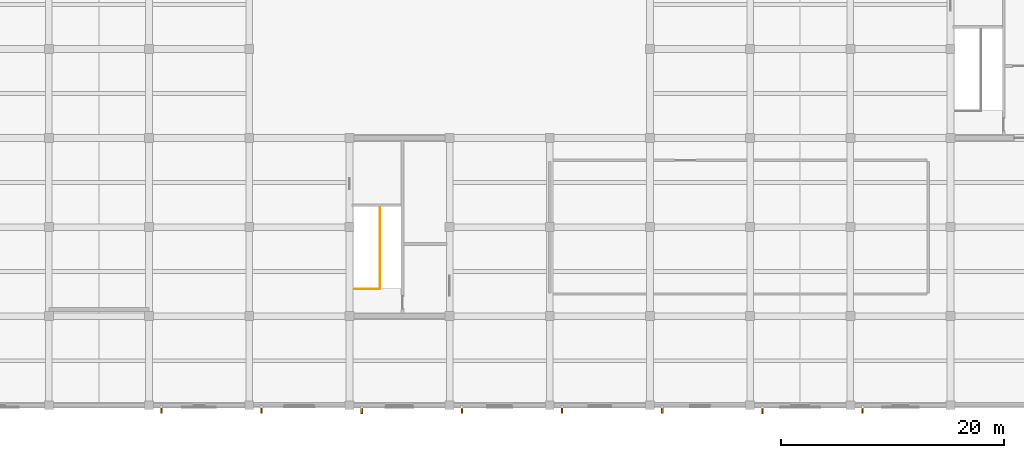
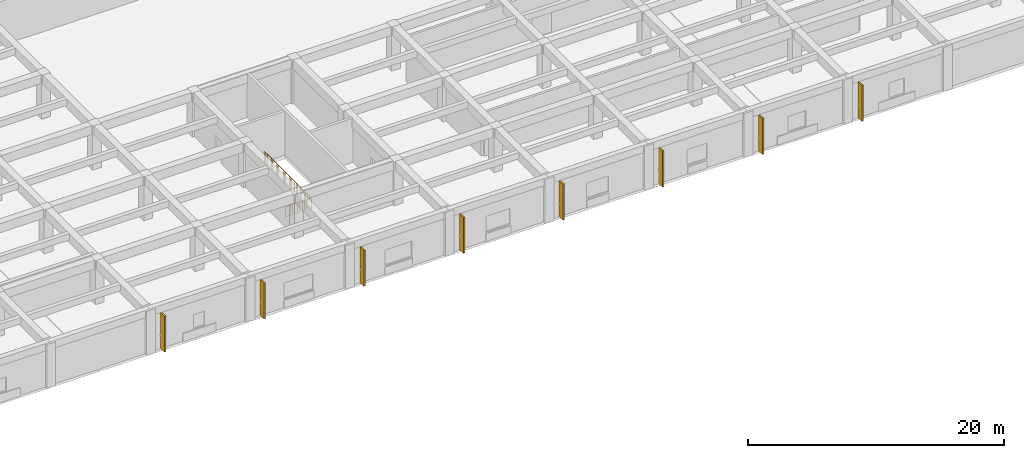
# One storey, part 28 of 32: 8 shading devices, 1 railing.
"""IFC4 building model written with IfcOpenShell, lengths in metres."""

from ifc_helpers import new_model, si_unit, direction, frame, frame_2d, origin, origin_2d, place, context, subcontext, project, spatial, rectangle, circle, extrude, material, layer, layer_set, type_object, element, save


model = new_model("IFC4")

# Units and contexts
model_context = context("Model", 3, precision=1e-05, world=origin(), true_north=direction((0.0, 1.0)))
body_context = subcontext(model_context, "Body", "Model", "MODEL_VIEW")
ifc_project = project(units=[si_unit("LENGTHUNIT", "METRE"), si_unit("AREAUNIT", "SQUARE_METRE"), si_unit("VOLUMEUNIT", "CUBIC_METRE"), si_unit("PLANEANGLEUNIT", "RADIAN"), si_unit("MASSUNIT", "GRAM", prefix="KILO")], contexts=[model_context])

# Site, building, storey
site_placement = place(None, origin())
site = spatial("IfcSite", under=ifc_project, at=site_placement, CompositionType="ELEMENT")
building_placement = place(site_placement, origin())
building = spatial("IfcBuilding", under=site, at=building_placement, Name="Zaverband Oceanarium and Marine Research Institute", CompositionType="ELEMENT")
storey_placement = place(building_placement, frame((0.0, 0.0, 13.5)))
storey = spatial("IfcBuildingStorey", under=building, at=storey_placement, Name="L03", CompositionType="ELEMENT", Elevation=13.5)

# Railing
ifc_material_1 = material(Name="Steel S355", Category="steel")
ifc_layer_1 = layer(ifc_material_1, 0.06005859375, Name="Steel S355")
ifc_layer_set_1 = layer_set([ifc_layer_1], Name="Steel S355")
railing_type = type_object("IfcRailingType", Name="GRD-1100", PredefinedType="BALUSTRADE", material=ifc_layer_set_1)
railing_placement = place(storey_placement, frame((81.429931640625, 10.429931640625, 0.0)))
element("IfcRailing", 1, at=railing_placement, inside=storey, type_object=railing_type, Name="1100 mm steel post-and-baluster safety guard GRD-1100", PredefinedType="BALUSTRADE", context=body_context, shape_type="SweptSolid", body=[
    extrude(circle(Radius=0.02392578125, at=origin_2d()), frame((0.0, 0.0, 1.076171875), z_axis=(1.0, 0.0, 0.0), x_axis=(0.0, 1.0, 0.0)), (0.0, 0.0, 1.0), 2.320068359375),
    extrude(circle(Radius=0.009033203125, at=origin_2d()), frame((0.0, 0.0, 0.10009765625), z_axis=(1.0, 0.0, 0.0), x_axis=(0.0, 1.0, 0.0)), (0.0, 0.0, 1.0), 2.320068359375),
    extrude(circle(Radius=0.009033203125, at=origin_2d()), frame((0.2109375, 0.0, 0.10009765625)), (0.0, 0.0, 1.0), 0.951904296875),
    extrude(circle(Radius=0.009033203125, at=origin_2d()), frame((0.421875, 0.0, 0.10009765625)), (0.0, 0.0, 1.0), 0.951904296875),
    extrude(circle(Radius=0.009033203125, at=origin_2d()), frame((0.6328125, 0.0, 0.10009765625)), (0.0, 0.0, 1.0), 0.951904296875),
    extrude(circle(Radius=0.009033203125, at=origin_2d()), frame((0.84375, 0.0, 0.10009765625)), (0.0, 0.0, 1.0), 0.951904296875),
    extrude(circle(Radius=0.009033203125, at=origin_2d()), frame((1.0546875, 0.0, 0.10009765625)), (0.0, 0.0, 1.0), 0.951904296875),
    extrude(circle(Radius=0.009033203125, at=origin_2d()), frame((1.265380859375, 0.0, 0.10009765625)), (0.0, 0.0, 1.0), 0.951904296875),
    extrude(circle(Radius=0.009033203125, at=origin_2d()), frame((1.476318359375, 0.0, 0.10009765625)), (0.0, 0.0, 1.0), 0.951904296875),
    extrude(circle(Radius=0.009033203125, at=origin_2d()), frame((1.687255859375, 0.0, 0.10009765625)), (0.0, 0.0, 1.0), 0.951904296875),
    extrude(circle(Radius=0.009033203125, at=origin_2d()), frame((1.898193359375, 0.0, 0.10009765625)), (0.0, 0.0, 1.0), 0.951904296875),
    extrude(circle(Radius=0.009033203125, at=origin_2d()), frame((2.109130859375, 0.0, 0.10009765625)), (0.0, 0.0, 1.0), 0.951904296875),
    extrude(circle(Radius=0.02392578125, at=origin_2d()), frame((2.320068359375, 0.0, 1.076171875), z_axis=(0.0, 1.0, 0.0), x_axis=(-1.0, 0.0, 0.0)), (0.0, 0.0, 1.0), 7.340087890625),
    extrude(circle(Radius=0.009033203125, at=origin_2d()), frame((2.320068359375, 0.0, 0.10009765625), z_axis=(0.0, 1.0, 0.0), x_axis=(-1.0, 0.0, 0.0)), (0.0, 0.0, 1.0), 7.340087890625),
    extrude(circle(Radius=0.009033203125, at=origin_2d()), frame((2.320068359375, 0.2158203125, 0.10009765625)), (0.0, 0.0, 1.0), 0.951904296875),
    extrude(circle(Radius=0.009033203125, at=origin_2d()), frame((2.320068359375, 0.431884765625, 0.10009765625)), (0.0, 0.0, 1.0), 0.951904296875),
    extrude(circle(Radius=0.009033203125, at=origin_2d()), frame((2.320068359375, 0.647705078125, 0.10009765625)), (0.0, 0.0, 1.0), 0.951904296875),
    extrude(circle(Radius=0.009033203125, at=origin_2d()), frame((2.320068359375, 0.863525390625, 0.10009765625)), (0.0, 0.0, 1.0), 0.951904296875),
    extrude(circle(Radius=0.009033203125, at=origin_2d()), frame((2.320068359375, 1.079345703125, 0.10009765625)), (0.0, 0.0, 1.0), 0.951904296875),
    extrude(circle(Radius=0.009033203125, at=origin_2d()), frame((2.320068359375, 1.29541015625, 0.10009765625)), (0.0, 0.0, 1.0), 0.951904296875),
    extrude(circle(Radius=0.009033203125, at=origin_2d()), frame((2.320068359375, 1.51123046875, 0.10009765625)), (0.0, 0.0, 1.0), 0.951904296875),
    extrude(circle(Radius=0.009033203125, at=origin_2d()), frame((2.320068359375, 1.72705078125, 0.10009765625)), (0.0, 0.0, 1.0), 0.951904296875),
    extrude(circle(Radius=0.009033203125, at=origin_2d()), frame((2.320068359375, 1.94287109375, 0.10009765625)), (0.0, 0.0, 1.0), 0.951904296875),
    extrude(circle(Radius=0.009033203125, at=origin_2d()), frame((2.320068359375, 2.158935546875, 0.10009765625)), (0.0, 0.0, 1.0), 0.951904296875),
    extrude(circle(Radius=0.009033203125, at=origin_2d()), frame((2.320068359375, 2.374755859375, 0.10009765625)), (0.0, 0.0, 1.0), 0.951904296875),
    extrude(circle(Radius=0.009033203125, at=origin_2d()), frame((2.320068359375, 2.590576171875, 0.10009765625)), (0.0, 0.0, 1.0), 0.951904296875),
    extrude(circle(Radius=0.009033203125, at=origin_2d()), frame((2.320068359375, 2.806396484375, 0.10009765625)), (0.0, 0.0, 1.0), 0.951904296875),
    extrude(circle(Radius=0.009033203125, at=origin_2d()), frame((2.320068359375, 3.0224609375, 0.10009765625)), (0.0, 0.0, 1.0), 0.951904296875),
    extrude(circle(Radius=0.009033203125, at=origin_2d()), frame((2.320068359375, 3.23828125, 0.10009765625)), (0.0, 0.0, 1.0), 0.951904296875),
    extrude(circle(Radius=0.009033203125, at=origin_2d()), frame((2.320068359375, 3.4541015625, 0.10009765625)), (0.0, 0.0, 1.0), 0.951904296875),
    extrude(circle(Radius=0.009033203125, at=origin_2d()), frame((2.320068359375, 3.669921875, 0.10009765625)), (0.0, 0.0, 1.0), 0.951904296875),
    extrude(circle(Radius=0.009033203125, at=origin_2d()), frame((2.320068359375, 3.885986328125, 0.10009765625)), (0.0, 0.0, 1.0), 0.951904296875),
    extrude(circle(Radius=0.009033203125, at=origin_2d()), frame((2.320068359375, 4.101806640625, 0.10009765625)), (0.0, 0.0, 1.0), 0.951904296875),
    extrude(circle(Radius=0.009033203125, at=origin_2d()), frame((2.320068359375, 4.317626953125, 0.10009765625)), (0.0, 0.0, 1.0), 0.951904296875),
    extrude(circle(Radius=0.009033203125, at=origin_2d()), frame((2.320068359375, 4.53369140625, 0.10009765625)), (0.0, 0.0, 1.0), 0.951904296875),
    extrude(circle(Radius=0.009033203125, at=origin_2d()), frame((2.320068359375, 4.74951171875, 0.10009765625)), (0.0, 0.0, 1.0), 0.951904296875),
    extrude(circle(Radius=0.009033203125, at=origin_2d()), frame((2.320068359375, 4.96533203125, 0.10009765625)), (0.0, 0.0, 1.0), 0.951904296875),
    extrude(circle(Radius=0.009033203125, at=origin_2d()), frame((2.320068359375, 5.18115234375, 0.10009765625)), (0.0, 0.0, 1.0), 0.951904296875),
    extrude(circle(Radius=0.009033203125, at=origin_2d()), frame((2.320068359375, 5.397216796875, 0.10009765625)), (0.0, 0.0, 1.0), 0.951904296875),
    extrude(circle(Radius=0.009033203125, at=origin_2d()), frame((2.320068359375, 5.613037109375, 0.10009765625)), (0.0, 0.0, 1.0), 0.951904296875),
    extrude(circle(Radius=0.009033203125, at=origin_2d()), frame((2.320068359375, 5.828857421875, 0.10009765625)), (0.0, 0.0, 1.0), 0.951904296875),
    extrude(circle(Radius=0.009033203125, at=origin_2d()), frame((2.320068359375, 6.044677734375, 0.10009765625)), (0.0, 0.0, 1.0), 0.951904296875),
    extrude(circle(Radius=0.009033203125, at=origin_2d()), frame((2.320068359375, 6.2607421875, 0.10009765625)), (0.0, 0.0, 1.0), 0.951904296875),
    extrude(circle(Radius=0.009033203125, at=origin_2d()), frame((2.320068359375, 6.4765625, 0.10009765625)), (0.0, 0.0, 1.0), 0.951904296875),
    extrude(circle(Radius=0.009033203125, at=origin_2d()), frame((2.320068359375, 6.6923828125, 0.10009765625)), (0.0, 0.0, 1.0), 0.951904296875),
    extrude(circle(Radius=0.009033203125, at=origin_2d()), frame((2.320068359375, 6.908203125, 0.10009765625)), (0.0, 0.0, 1.0), 0.951904296875),
    extrude(circle(Radius=0.009033203125, at=origin_2d()), frame((2.320068359375, 7.124267578125, 0.10009765625)), (0.0, 0.0, 1.0), 0.951904296875),
    extrude(circle(Radius=0.02099609375, at=origin_2d()), origin(), (0.0, 0.0, 1.0), 1.052001953125),
    extrude(circle(Radius=0.02099609375, at=origin_2d()), frame((0.7734375, 0.0, 0.0)), (0.0, 0.0, 1.0), 1.052001953125),
    extrude(circle(Radius=0.02099609375, at=origin_2d()), frame((1.546630859375, 0.0, 0.0)), (0.0, 0.0, 1.0), 1.052001953125),
    extrude(circle(Radius=0.02099609375, at=origin_2d()), frame((2.320068359375, 0.0, 0.0)), (0.0, 0.0, 1.0), 1.052001953125),
    extrude(circle(Radius=0.02099609375, at=origin_2d()), frame((2.320068359375, 1.048583984375, 0.0)), (0.0, 0.0, 1.0), 1.052001953125),
    extrude(circle(Radius=0.02099609375, at=origin_2d()), frame((2.320068359375, 2.09716796875, 0.0)), (0.0, 0.0, 1.0), 1.052001953125),
    extrude(circle(Radius=0.02099609375, at=origin_2d()), frame((2.320068359375, 3.145751953125, 0.0)), (0.0, 0.0, 1.0), 1.052001953125),
    extrude(circle(Radius=0.02099609375, at=origin_2d()), frame((2.320068359375, 4.1943359375, 0.0)), (0.0, 0.0, 1.0), 1.052001953125),
    extrude(circle(Radius=0.02099609375, at=origin_2d()), frame((2.320068359375, 5.242919921875, 0.0)), (0.0, 0.0, 1.0), 1.052001953125),
    extrude(circle(Radius=0.02099609375, at=origin_2d()), frame((2.320068359375, 6.29150390625, 0.0)), (0.0, 0.0, 1.0), 1.052001953125),
    extrude(circle(Radius=0.02099609375, at=origin_2d()), frame((2.320068359375, 7.340087890625, 0.0)), (0.0, 0.0, 1.0), 1.052001953125),
])

# Shading devices
ifc_material_2 = material(Name="Concrete C40/50 precast brise-soleil", Category="concrete")
ifc_layer_2 = layer(ifc_material_2, 0.139892578125, Name="Concrete C40/50 precast brise-soleil")
ifc_layer_set_2 = layer_set([ifc_layer_2], Name="Concrete C40/50 precast brise-soleil")
shading_device_type = type_object("IfcShadingDeviceType", Name="SHD-FIN-600", PredefinedType="JALOUSIE", material=ifc_layer_set_2)
shading_device_1_placement = place(storey_placement, frame((64.10498046875, -0.125, 0.0), z_axis=(0.0, 0.0, 1.0), x_axis=(0.0, -1.0, 0.0)))
element("IfcShadingDevice", 2, at=shading_device_1_placement, inside=storey, type_object=shading_device_type, Name="600 mm vertical precast brise-soleil fin SHD-FIN-600", PredefinedType="JALOUSIE", context=body_context, shape_type="SweptSolid", body=[
    extrude(rectangle(XDim=0.60009765625, YDim=0.139892578125, at=frame_2d((0.300048828125, 0.0))), origin(), (0.0, 0.0, 1.0), 3.429931640625),
])
shading_device_2_placement = place(storey_placement, frame((73.10498046875, -0.112548828125, 0.0), z_axis=(0.0, 0.0, 1.0), x_axis=(0.0, -1.0, 0.0)))
element("IfcShadingDevice", 3, at=shading_device_2_placement, inside=storey, type_object=shading_device_type, Name="600 mm vertical precast brise-soleil fin SHD-FIN-600", PredefinedType="JALOUSIE", context=body_context, shape_type="SweptSolid", body=[
    extrude(rectangle(XDim=0.599853515625, YDim=0.139892578125, at=frame_2d((0.2998046875, 0.0))), origin(), (0.0, 0.0, 1.0), 3.429931640625),
])
for number, where, z_axis, x_axis, name in (
    (4, (82.10498046875, -0.14990234375, 0.0), (0.0, 0.0, 1.0), (0.0, -1.0, 0.0), "600 mm vertical precast brise-soleil fin SHD-FIN-600"),
    (5, (91.10498046875, -0.135009765625, 0.0), (0.0, 0.0, 1.0), (0.0, -1.0, 0.0), "600 mm vertical precast brise-soleil fin SHD-FIN-600"),
    (6, (100.10498046875, -0.125, 0.0), (0.0, 0.0, 1.0), (0.0, -1.0, 0.0), "600 mm vertical precast brise-soleil fin SHD-FIN-600"),
):
    element("IfcShadingDevice", number, at=place(storey_placement, frame(where, z_axis=z_axis, x_axis=x_axis)), inside=storey, type_object=shading_device_type, Name=name, PredefinedType="JALOUSIE", context=body_context, shape_type="SweptSolid", body=[
        extrude(rectangle(XDim=0.60009765625, YDim=0.139892578125, at=frame_2d((0.300048828125, 0.0))), origin(), (0.0, 0.0, 1.0), 3.429931640625),
    ])
shading_device_3_placement = place(storey_placement, frame((109.10498046875, -0.112548828125, 0.0), z_axis=(0.0, 0.0, 1.0), x_axis=(0.0, -1.0, 0.0)))
element("IfcShadingDevice", 7, at=shading_device_3_placement, inside=storey, type_object=shading_device_type, Name="600 mm vertical precast brise-soleil fin SHD-FIN-600", PredefinedType="JALOUSIE", context=body_context, shape_type="SweptSolid", body=[
    extrude(rectangle(XDim=0.599853515625, YDim=0.139892578125, at=frame_2d((0.2998046875, 0.0))), origin(), (0.0, 0.0, 1.0), 3.429931640625),
])
for number, where, z_axis, x_axis, name in (
    (8, (118.10498046875, -0.14990234375, 0.0), (0.0, 0.0, 1.0), (0.0, -1.0, 0.0), "600 mm vertical precast brise-soleil fin SHD-FIN-600"),
    (9, (127.10498046875, -0.135009765625, 0.0), (0.0, 0.0, 1.0), (0.0, -1.0, 0.0), "600 mm vertical precast brise-soleil fin SHD-FIN-600"),
):
    element("IfcShadingDevice", number, at=place(storey_placement, frame(where, z_axis=z_axis, x_axis=x_axis)), inside=storey, type_object=shading_device_type, Name=name, PredefinedType="JALOUSIE", context=body_context, shape_type="SweptSolid", body=[
        extrude(rectangle(XDim=0.60009765625, YDim=0.139892578125, at=frame_2d((0.300048828125, 0.0))), origin(), (0.0, 0.0, 1.0), 3.429931640625),
    ])

save(model, "model.ifc")
